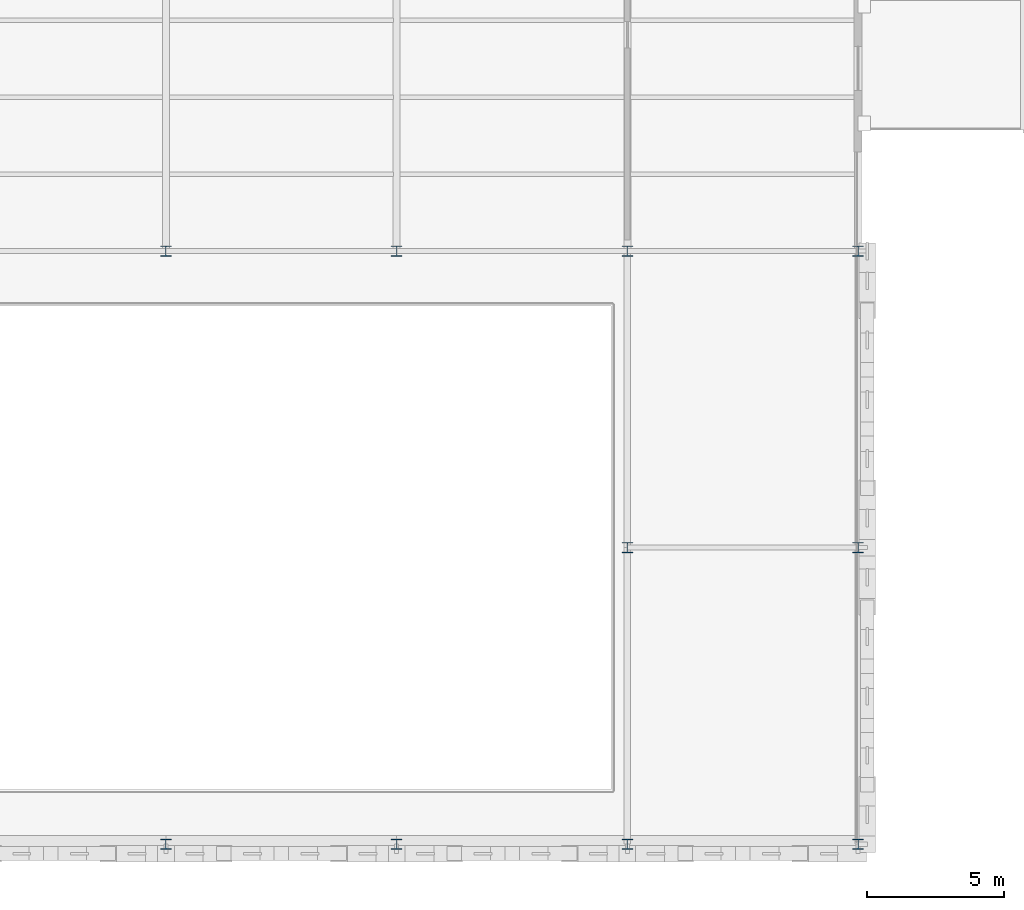
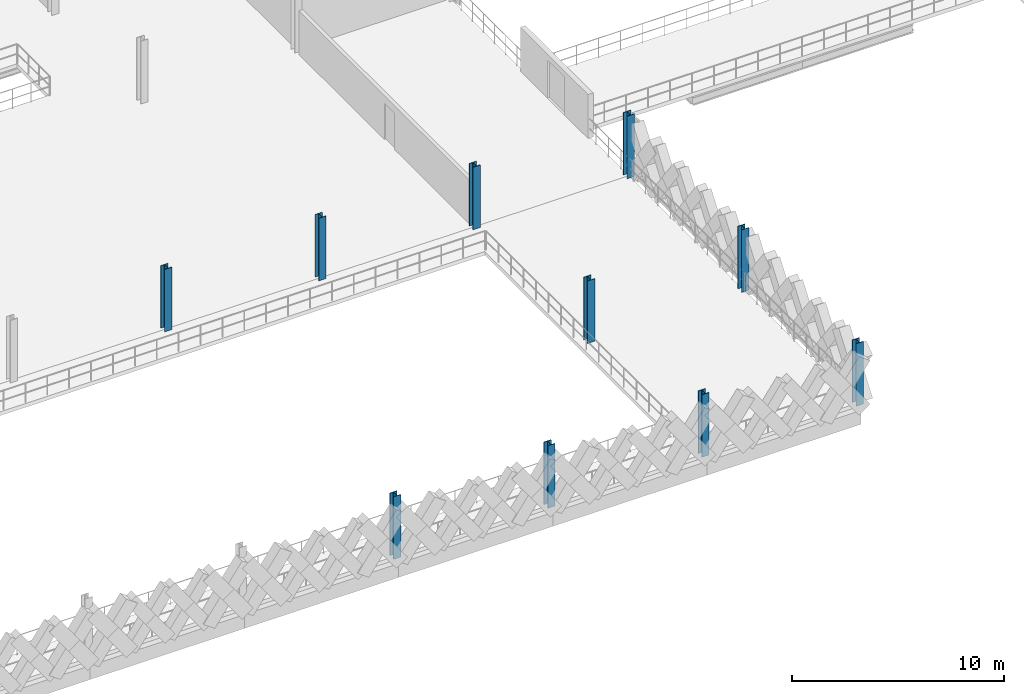
# One storey, part 5 of 101: 10 columns.
"""IFC4 building model written with IfcOpenShell, lengths in metres."""

from ifc_helpers import new_model, si_unit, direction, frame, origin, origin_2d, place, context, subcontext, project, spatial, i_section, extrude, material, material_profile, profile_set, type_object, element, save


model = new_model("IFC4")

# Units and contexts
model_context = context("Model", 3, precision=1e-05, world=origin(), true_north=direction((0.0, 1.0)))
body_context = subcontext(model_context, "Body", "Model", "MODEL_VIEW")
ifc_project = project(units=[si_unit("LENGTHUNIT", "METRE"), si_unit("AREAUNIT", "SQUARE_METRE"), si_unit("VOLUMEUNIT", "CUBIC_METRE"), si_unit("PLANEANGLEUNIT", "RADIAN"), si_unit("MASSUNIT", "GRAM", prefix="KILO"), si_unit("THERMODYNAMICTEMPERATUREUNIT", "KELVIN"), si_unit("POWERUNIT", "WATT")], contexts=[model_context])

# Site, building, storey
site_placement = place(None, origin())
site = spatial("IfcSite", under=ifc_project, at=site_placement, CompositionType="ELEMENT")
building_placement = place(site_placement, origin())
building = spatial("IfcBuilding", under=site, at=building_placement, Name="Tembeka Court Mobility Hub", CompositionType="ELEMENT")
storey_placement = place(building_placement, frame((0.0, 0.0, 5.39990234375)))
storey = spatial("IfcBuildingStorey", under=building, at=storey_placement, Name="L01", CompositionType="ELEMENT", Elevation=5.39990234375)

# Columns
ifc_material = material(Name="Steel S355", Category="steel")
ifc_material_profile = material_profile(ifc_material, i_section(OverallWidth=0.39501953125, OverallDepth=0.381103515625, WebThickness=0.018310546875, FlangeThickness=0.0302734375, FilletRadius=0.01513671875, at=origin_2d()), Name="UKC 356x406x235")
ifc_profile_set = profile_set([ifc_material_profile], Name="Steel S355")
column_type = type_object("IfcColumnType", Name="COL-C02", PredefinedType="COLUMN", material=ifc_profile_set)
for number, where, z_axis, x_axis, name in (
    (1, (67.199951171875, 0.0, 0.0), (0.0, 0.0, 1.0), (1.0, 0.0, 0.0), "Column C02 (L01-093)"),
    (2, (67.199951171875, 21.60009765625, 0.0), (0.0, 0.0, 1.0), (1.0, 0.0, 0.0), "Column C02 (L01-094)"),
    (3, (75.60009765625, 0.0, 0.0), (0.0, 0.0, 1.0), (1.0, 0.0, 0.0), "Column C02 (L01-103)"),
    (4, (75.60009765625, 21.60009765625, 0.0), (0.0, 0.0, 1.0), (1.0, 0.0, 0.0), "Column C02 (L01-104)"),
    (5, (84.0, 0.0, 0.0), (0.0, 0.0, 1.0), (1.0, 0.0, 0.0), "Column C02 (L01-113)"),
    (6, (84.0, 10.800048828125, 0.0), (0.0, 0.0, 1.0), (1.0, 0.0, 0.0), "Column C02 (L01-114)"),
    (7, (84.0, 21.60009765625, 0.0), (0.0, 0.0, 1.0), (1.0, 0.0, 0.0), "Column C02 (L01-115)"),
    (8, (92.39990234375, 0.0, 0.0), (0.0, 0.0, 1.0), (1.0, 0.0, 0.0), "Column C02 (L01-125)"),
    (9, (92.39990234375, 10.800048828125, 0.0), (0.0, 0.0, 1.0), (1.0, 0.0, 0.0), "Column C02 (L01-126)"),
    (10, (92.39990234375, 21.60009765625, 0.0), (0.0, 0.0, 1.0), (1.0, 0.0, 0.0), "Column C02 (L01-127)"),
):
    element("IfcColumn", number, at=place(storey_placement, frame(where, z_axis=z_axis, x_axis=x_axis)), inside=storey, type_object=column_type, Name=name, PredefinedType="COLUMN", context=body_context, shape_type="SweptSolid", body=[
        extrude(i_section(OverallWidth=0.39501953125, OverallDepth=0.381103515625, WebThickness=0.018310546875, FlangeThickness=0.0302734375, FilletRadius=0.01513671875, at=origin_2d()), origin(), (0.0, 0.0, 1.0), 3.60009765625),
    ])

save(model, "model.ifc")
